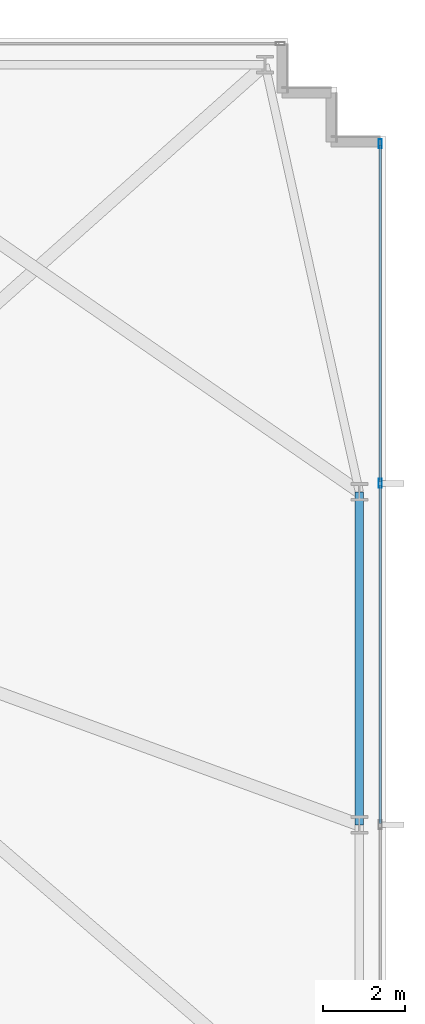
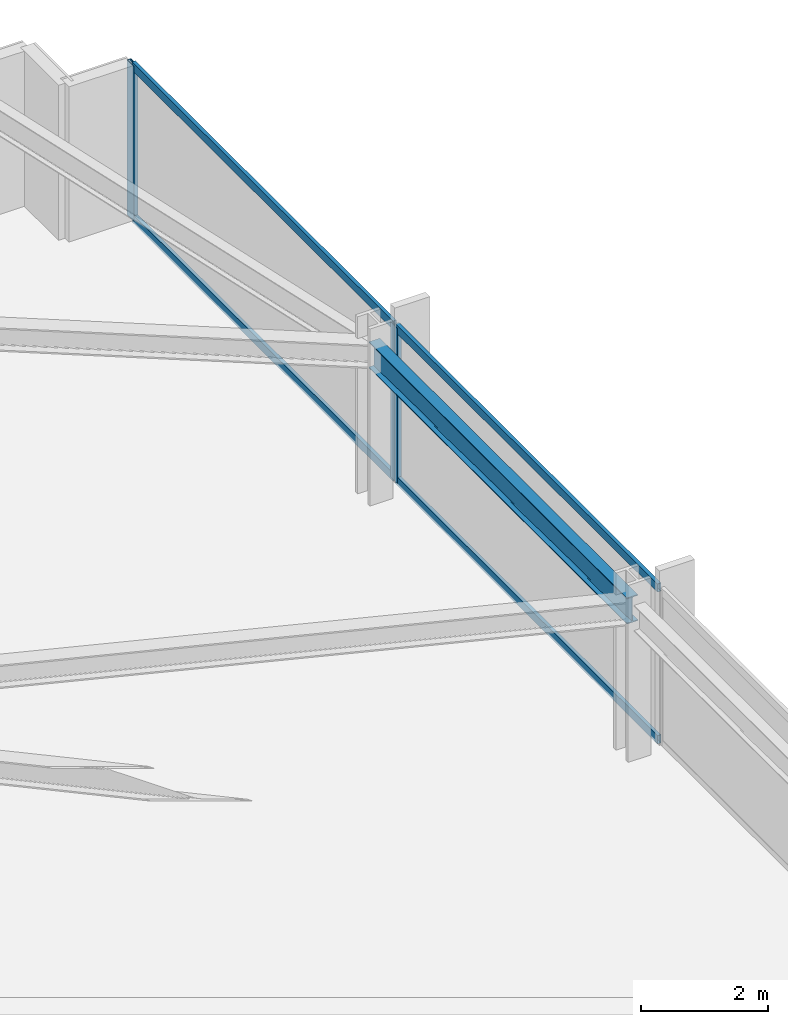
# One storey, part 23 of 32: 6 members, 1 beam, 1 element without a shape of its own.
"""IFC4 building model written with IfcOpenShell, lengths in metres."""

from ifc_helpers import new_model, si_unit, direction, frame, origin, origin_2d, place, context, subcontext, project, spatial, hollow_rectangle, i_section, extrude, material, material_profile, profile_set, type_object, element, aggregate, save


model = new_model("IFC4")

# Units and contexts
model_context = context("Model", 3, precision=1e-05, world=origin(), true_north=direction((0.0, 1.0)))
body_context = subcontext(model_context, "Body", "Model", "MODEL_VIEW")
ifc_project = project(units=[si_unit("LENGTHUNIT", "METRE"), si_unit("AREAUNIT", "SQUARE_METRE"), si_unit("VOLUMEUNIT", "CUBIC_METRE"), si_unit("PLANEANGLEUNIT", "RADIAN"), si_unit("MASSUNIT", "GRAM", prefix="KILO")], contexts=[model_context])

# Site, building, storey
site_placement = place(None, origin())
site = spatial("IfcSite", under=ifc_project, at=site_placement, CompositionType="ELEMENT")
building_placement = place(site_placement, origin())
building = spatial("IfcBuilding", under=site, at=building_placement, Name="Yelkora Congress Tower", CompositionType="ELEMENT")
storey_placement = place(building_placement, frame((0.0, 0.0, 74.60009765625)))
storey = spatial("IfcBuildingStorey", under=building, at=storey_placement, Name="L19", CompositionType="ELEMENT", Elevation=74.60009765625)

# Beam
ifc_material_1 = material(Name="Steel S355J2", Category="steel")
ifc_material_profile_1 = material_profile(ifc_material_1, i_section(OverallWidth=0.199951171875, OverallDepth=0.5, WebThickness=0.01025390625, FlangeThickness=0.01611328125, FilletRadius=0.02099609375, at=origin_2d()), Name="IPE 500")
ifc_profile_set_1 = profile_set([ifc_material_profile_1], Name="Steel S355J2")
beam_type = type_object("IfcBeamType", Name="BM-SPAN-IPE500", PredefinedType="SPANDREL", material=ifc_profile_set_1)
beam_placement = place(storey_placement, frame((70.14990234375, 29.39990234375, 2.72998046875), z_axis=(0.0, 1.0, 0.0), x_axis=(-1.0, 0.0, 0.0)))
element("IfcBeam", 1, at=beam_placement, inside=storey, type_object=beam_type, Name="L19 Perimeter Beam 12", PredefinedType="SPANDREL", context=body_context, shape_type="SweptSolid", body=[
    extrude(i_section(OverallWidth=0.199951171875, OverallDepth=0.5, WebThickness=0.01025390625, FlangeThickness=0.01611328125, FilletRadius=0.02099609375, at=origin_2d()), origin(), (0.0, 0.0, 1.0), 8.125),
])

# Curtain wall, members
ifc_material_2 = material(Name="Anodised aluminium and insulated glass", Category="aluminium")
curtain_wall_type = type_object("IfcCurtainWallType", Name="CW-SYS-B1", PredefinedType="NOTDEFINED", material=ifc_material_2)
curtain_wall_placement = place(storey_placement, origin())
curtain_wall = element("IfcCurtainWall", 2, at=curtain_wall_placement, inside=storey, type_object=curtain_wall_type, Name="L19 Unitised Curtain Wall 15", PredefinedType="NOTDEFINED")
ifc_material_3 = material(Name="Anodised aluminium 6063-T6", Category="aluminium")
ifc_material_profile_2 = material_profile(ifc_material_3, hollow_rectangle(XDim=0.074951171875, YDim=0.219970703125, WallThickness=0.0048828125, at=origin_2d()), Name="ALU 75x220x5")
ifc_profile_set_2 = profile_set([ifc_material_profile_2], Name="Anodised aluminium 6063-T6")
member_type_1 = type_object("IfcMemberType", Name="MEM-ML-B1", PredefinedType="MULLION", material=ifc_profile_set_2)
member_1_placement = place(storey_placement, frame((70.659912109375, 46.0224609375, 0.0), z_axis=(0.0, 0.0, 1.0), x_axis=(1.0, 0.0, 0.0)))
member_1 = element("IfcMember", 3, at=member_1_placement, type_object=member_type_1, Name="CW-B1 mullion 1", PredefinedType="MULLION", context=body_context, shape_type="SweptSolid", body=[
    extrude(hollow_rectangle(XDim=0.074951171875, YDim=0.219970703125, WallThickness=0.0048828125, at=origin_2d()), origin(), (0.0, 0.0, 1.0), 2.97998046875),
])
member_2_placement = place(storey_placement, frame((70.659912109375, 37.72998046875, 0.0), z_axis=(0.0, 0.0, 1.0), x_axis=(1.0, 0.0, 0.0)))
member_2 = element("IfcMember", 4, at=member_2_placement, type_object=member_type_1, Name="CW-B1 mullion 2", PredefinedType="MULLION", context=body_context, shape_type="SweptSolid", body=[
    extrude(hollow_rectangle(XDim=0.074951171875, YDim=0.219970703125, WallThickness=0.0048828125, at=origin_2d()), origin(), (0.0, 0.0, 1.0), 2.97998046875),
])
ifc_material_profile_3 = material_profile(ifc_material_3, hollow_rectangle(XDim=0.06494140625, YDim=0.159912109375, WallThickness=0.00390625, at=origin_2d()), Name="ALU 65x160x4")
ifc_profile_set_3 = profile_set([ifc_material_profile_3], Name="Anodised aluminium 6063-T6")
member_type_2 = type_object("IfcMemberType", Name="MEM-TR-B1", PredefinedType="USERDEFINED", material=ifc_profile_set_3)
member_3_placement = place(storey_placement, frame((70.659912109375, 45.985107421875, 0.032470703125), z_axis=(0.0, -1.0, 0.0), x_axis=(1.0, 0.0, 0.0)))
member_3 = element("IfcMember", 5, at=member_3_placement, type_object=member_type_2, Name="CW-B1 transom 1.1", ObjectType="TRANSOM", PredefinedType="USERDEFINED", context=body_context, shape_type="SweptSolid", body=[
    extrude(hollow_rectangle(XDim=0.06494140625, YDim=0.159912109375, WallThickness=0.00390625, at=origin_2d()), origin(), (0.0, 0.0, 1.0), 8.217529296875),
])
member_4_placement = place(storey_placement, frame((70.659912109375, 45.985107421875, 2.947509765625), z_axis=(0.0, -1.0, 0.0), x_axis=(1.0, 0.0, 0.0)))
member_4 = element("IfcMember", 6, at=member_4_placement, type_object=member_type_2, Name="CW-B1 transom 1.2", ObjectType="TRANSOM", PredefinedType="USERDEFINED", context=body_context, shape_type="SweptSolid", body=[
    extrude(hollow_rectangle(XDim=0.06494140625, YDim=0.159912109375, WallThickness=0.00390625, at=origin_2d()), origin(), (0.0, 0.0, 1.0), 8.217529296875),
])
member_5_placement = place(storey_placement, frame((70.659912109375, 37.6923828125, 0.032470703125), z_axis=(0.0, -1.0, 0.0), x_axis=(1.0, 0.0, 0.0)))
member_5 = element("IfcMember", 7, at=member_5_placement, type_object=member_type_2, Name="CW-B1 transom 2.1", ObjectType="TRANSOM", PredefinedType="USERDEFINED", context=body_context, shape_type="SweptSolid", body=[
    extrude(hollow_rectangle(XDim=0.06494140625, YDim=0.159912109375, WallThickness=0.00390625, at=origin_2d()), origin(), (0.0, 0.0, 1.0), 8.2548828125),
])
member_6_placement = place(storey_placement, frame((70.659912109375, 37.6923828125, 2.947509765625), z_axis=(0.0, -1.0, 0.0), x_axis=(1.0, 0.0, 0.0)))
member_6 = element("IfcMember", 8, at=member_6_placement, type_object=member_type_2, Name="CW-B1 transom 2.2", ObjectType="TRANSOM", PredefinedType="USERDEFINED", context=body_context, shape_type="SweptSolid", body=[
    extrude(hollow_rectangle(XDim=0.06494140625, YDim=0.159912109375, WallThickness=0.00390625, at=origin_2d()), origin(), (0.0, 0.0, 1.0), 8.2548828125),
])
aggregate(curtain_wall, [member_1, member_2, member_3, member_4, member_5, member_6])

save(model, "model.ifc")
